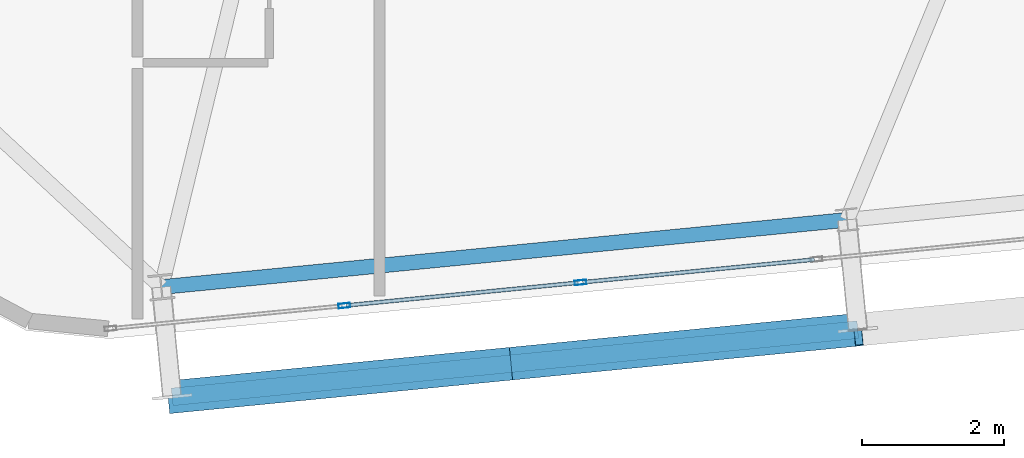
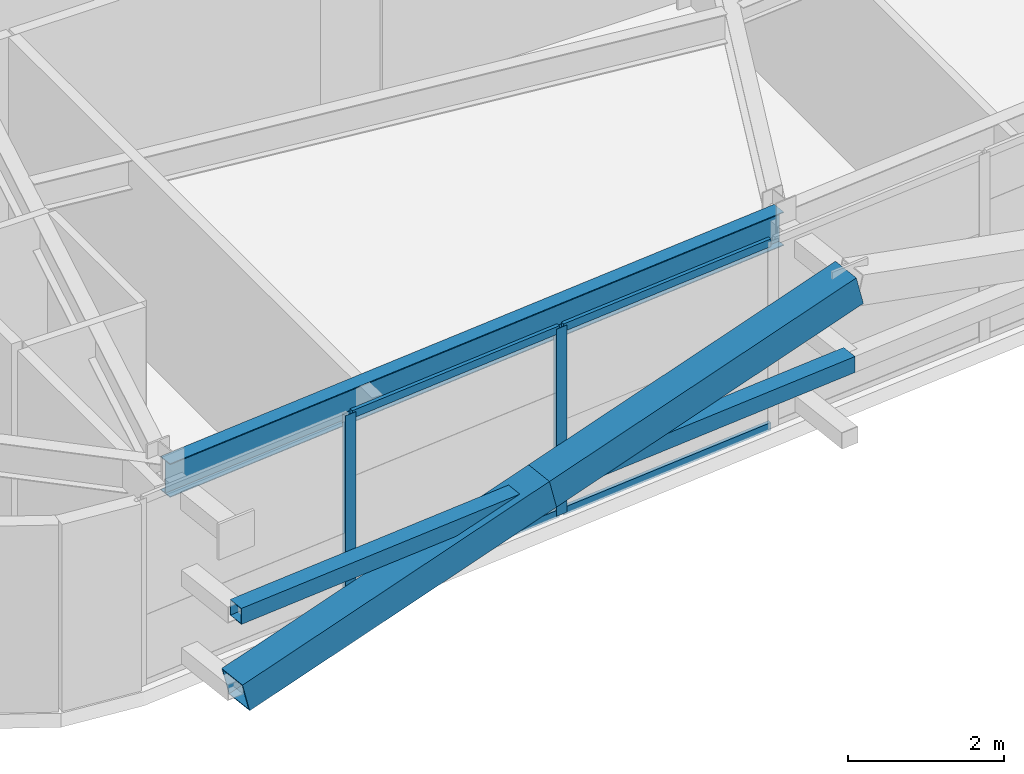
# One storey, part 6 of 52: 9 members, 1 beam, 1 element without a shape of its own.
"""IFC4 building model written with IfcOpenShell, lengths in metres."""

from ifc_helpers import new_model, si_unit, direction, frame, origin, origin_2d, place, context, subcontext, project, spatial, hollow_rectangle, i_section, extrude, source, transform, mapped, material, layer, layer_set, material_profile, profile_set, type_object, element, aggregate, save


model = new_model("IFC4")

# Units and contexts
model_context = context("Model", 3, precision=1e-05, world=origin(), true_north=direction((0.0, 1.0)))
body_context = subcontext(model_context, "Body", "Model", "MODEL_VIEW")
ifc_project = project(units=[si_unit("LENGTHUNIT", "METRE"), si_unit("AREAUNIT", "SQUARE_METRE"), si_unit("VOLUMEUNIT", "CUBIC_METRE"), si_unit("PLANEANGLEUNIT", "RADIAN"), si_unit("MASSUNIT", "GRAM", prefix="KILO")], contexts=[model_context])

# Site, building, storey
site_placement = place(None, origin())
site = spatial("IfcSite", under=ifc_project, at=site_placement, CompositionType="ELEMENT")
building_placement = place(site_placement, origin())
building = spatial("IfcBuilding", under=site, at=building_placement, Name="Taldren Reach Tower", CompositionType="ELEMENT")
storey_placement = place(building_placement, frame((0.0, 0.0, 74.550048828125)))
storey = spatial("IfcBuildingStorey", under=building, at=storey_placement, Name="L22", CompositionType="ELEMENT", Elevation=74.550048828125)

# Beam
ifc_material_1 = material(Name="Steel Gr 350 (350PLUS)", Category="steel")
ifc_material_profile_1 = material_profile(ifc_material_1, i_section(OverallWidth=0.208984375, OverallDepth=0.528076171875, WebThickness=0.009521484375, FlangeThickness=0.01318359375, at=origin_2d()), Name="530UB82.0")
ifc_profile_set_1 = profile_set([ifc_material_profile_1], Name="Steel Gr 350 (350PLUS)")
beam_type = type_object("IfcBeamType", Name="SP-UB530B", PredefinedType="SPANDREL", material=ifc_profile_set_1)
shared_shape_1 = source(origin(), body_context, "Body", "SweptSolid", [
    extrude(i_section(OverallWidth=0.208984375, OverallDepth=0.528076171875, WebThickness=0.009521484375, FlangeThickness=0.01318359375, at=origin_2d()), origin(), (0.0, 0.0, 1.0), 9.679931640625),
])
beam_placement = place(storey_placement, frame((14.93408203125, -0.079833984375, 2.666015625), z_axis=(0.995227612658, 0.097580730699, 0.0), x_axis=(-0.097580730699, 0.995227612658, 0.0)))
element("IfcBeam", 1, at=beam_placement, inside=storey, type_object=beam_type, Name="Perimeter spandrel B2 S1-S2 L22", PredefinedType="SPANDREL", context=body_context, shape_type="MappedRepresentation", body=[
    mapped(shared_shape_1, transform((0.0, 0.0, 0.0), scale=1.0)),
])

# Members
ifc_material_2 = material(Name="Steel Gr 450 (C450L0)", Category="steel")
ifc_material_profile_2 = material_profile(ifc_material_2, hollow_rectangle(XDim=0.4599609375, YDim=0.4599609375, WallThickness=0.01611328125, at=origin_2d()), Name="460x460x16.0SHS")
ifc_profile_set_2 = profile_set([ifc_material_profile_2], Name="Steel Gr 450 (C450L0)")
member_type_1 = type_object("IfcMemberType", Name="MB-EXO457", PredefinedType="BRACE", material=ifc_profile_set_2)
shared_shape_2 = source(origin(), body_context, "Body", "SweptSolid", [
    extrude(hollow_rectangle(XDim=0.4599609375, YDim=0.4599609375, WallThickness=0.01611328125, at=origin_2d()), origin(), (0.0, 0.0, 1.0), 4.990234375),
])
for number, where, z_axis, x_axis, name in (
    (2, (15.08544921875, -1.62255859375, 0.219970703125), (0.965271056716, 0.094667992638, 0.243494883389), (-0.097605711627, 0.995225162995, 0.0), "Exoskeleton Diagrid Brace B2-S1 L22"),
    (3, (19.90234375, -1.150146484375, 1.43505859375), (0.965287024526, 0.094620633828, 0.24344998652), (-0.097555749586, 0.995230061706, 0.0), "Exoskeleton Diagrid Brace B2-S1 L22"),
):
    element("IfcMember", number, at=place(storey_placement, frame(where, z_axis=z_axis, x_axis=x_axis)), inside=storey, type_object=member_type_1, Name=name, PredefinedType="BRACE", context=body_context, shape_type="MappedRepresentation", body=[
        mapped(shared_shape_2, transform((0.0, 0.0, 0.0), scale=1.0)),
    ])
ifc_material_3 = material(Name="Steel Gr 350 (C350L0)", Category="steel")
ifc_material_profile_3 = material_profile(ifc_material_3, hollow_rectangle(XDim=0.25, YDim=0.25, WallThickness=0.010009765625, at=origin_2d()), Name="250x250x10.0SHS")
ifc_profile_set_3 = profile_set([ifc_material_profile_3], Name="Steel Gr 350 (C350L0)")
member_type_2 = type_object("IfcMemberType", Name="MB-POST250", PredefinedType="POST", material=ifc_profile_set_3)
shared_shape_3 = source(origin(), body_context, "Body", "SweptSolid", [
    extrude(hollow_rectangle(XDim=0.25, YDim=0.25, WallThickness=0.010009765625, at=origin_2d()), origin(), (0.0, 0.0, 1.0), 9.679931640625),
])
member_1_placement = place(storey_placement, frame((15.08544921875, -1.62255859375, 1.43505859375), z_axis=(0.995227612658, 0.097580730699, 0.0), x_axis=(-0.097580730699, 0.995227612658, 0.0)))
element("IfcMember", 4, at=member_1_placement, inside=storey, type_object=member_type_2, Name="Exoskeleton mid-height ring chord B2-S1 L22", PredefinedType="POST", context=body_context, shape_type="MappedRepresentation", body=[
    mapped(shared_shape_3, transform((0.0, 0.0, 0.0), scale=1.0)),
])

# Curtain wall, members
ifc_material_4 = material(Name="Aluminium and Low-E Glass Unitised System", Category="aluminium")
ifc_layer = layer(ifc_material_4, 0.159912109375)
ifc_layer_set = layer_set([ifc_layer], Name="Aluminium and Low-E Glass Unitised System")
curtain_wall_type = type_object("IfcCurtainWallType", Name="CW-SYS-3", PredefinedType="NOTDEFINED", material=ifc_layer_set)
curtain_wall_placement = place(storey_placement, origin())
curtain_wall = element("IfcCurtainWall", 5, at=curtain_wall_placement, inside=storey, type_object=curtain_wall_type, Name="Unitised curtain wall CW-L22-S", PredefinedType="NOTDEFINED")
ifc_material_5 = material(Name="Anodised Aluminium 6063-T6", Category="aluminium")
ifc_material_profile_4 = material_profile(ifc_material_5, hollow_rectangle(XDim=0.06494140625, YDim=0.1650390625, WallThickness=0.00390625, at=origin_2d()), Name="ALU-165x65x4RHS")
ifc_profile_set_4 = profile_set([ifc_material_profile_4], Name="Anodised Aluminium 6063-T6")
member_type_3 = type_object("IfcMemberType", Name="CW-MUL-165", PredefinedType="MULLION", material=ifc_profile_set_4)
shared_shape_4 = source(origin(), body_context, "Body", "SweptSolid", [
    extrude(hollow_rectangle(XDim=0.06494140625, YDim=0.1650390625, WallThickness=0.00390625, at=origin_2d()), origin(), (0.0, 0.0, 1.0), 2.929931640625),
])
member_2_placement = place(storey_placement, frame((17.505126953125, -0.34033203125, 0.0), z_axis=(0.0, 0.0, 1.0), x_axis=(-0.097582999046, 0.995227390247, 0.0)))
member_2 = element("IfcMember", 6, at=member_2_placement, type_object=member_type_3, Name="CW-3 mullion 2", PredefinedType="MULLION", context=body_context, shape_type="MappedRepresentation", body=[
    mapped(shared_shape_4, transform((0.0, 0.0, 0.0), scale=1.0)),
])
member_3_placement = place(storey_placement, frame((20.822509765625, -0.014892578125, 0.0), z_axis=(0.0, 0.0, 1.0), x_axis=(-0.097582999046, 0.995227390247, 0.0)))
member_3 = element("IfcMember", 7, at=member_3_placement, type_object=member_type_3, Name="CW-3 mullion 3", PredefinedType="MULLION", context=body_context, shape_type="MappedRepresentation", body=[
    mapped(shared_shape_4, transform((0.0, 0.0, 0.0), scale=1.0)),
])
ifc_material_profile_5 = material_profile(ifc_material_5, hollow_rectangle(XDim=0.054931640625, YDim=0.1201171875, WallThickness=0.0029296875, at=origin_2d()), Name="ALU-120x55x3RHS")
ifc_profile_set_5 = profile_set([ifc_material_profile_5], Name="Anodised Aluminium 6063-T6")
member_type_4 = type_object("IfcMemberType", Name="CW-TRN-135", PredefinedType="USERDEFINED", material=ifc_profile_set_5)
shared_shape_5 = source(origin(), body_context, "Body", "SweptSolid", [
    extrude(hollow_rectangle(XDim=0.054931640625, YDim=0.1201171875, WallThickness=0.0029296875, at=origin_2d()), origin(), (0.0, 0.0, 1.0), 3.268310546875),
])
member_4_placement = place(storey_placement, frame((17.53759765625, -0.337158203125, 0.02734375), z_axis=(0.995222549564, 0.097632355496, 0.0), x_axis=(-0.097632355496, 0.995222549564, 0.0)))
member_4 = element("IfcMember", 8, at=member_4_placement, type_object=member_type_4, Name="CW-3 transom 2.1", ObjectType="TRANSOM", PredefinedType="USERDEFINED", context=body_context, shape_type="MappedRepresentation", body=[
    mapped(shared_shape_5, transform((0.0, 0.0, 0.0), scale=1.0)),
])
member_5_placement = place(storey_placement, frame((17.53759765625, -0.337158203125, 2.90234375), z_axis=(0.995222549564, 0.097632355496, 0.0), x_axis=(-0.097632355496, 0.995222549564, 0.0)))
member_5 = element("IfcMember", 9, at=member_5_placement, type_object=member_type_4, Name="CW-3 transom 2.2", ObjectType="TRANSOM", PredefinedType="USERDEFINED", context=body_context, shape_type="MappedRepresentation", body=[
    mapped(shared_shape_5, transform((0.0, 0.0, 0.0), scale=1.0)),
])
member_6_placement = place(storey_placement, frame((20.85498046875, -0.01171875, 0.02734375), z_axis=(0.99522980512, 0.097558367146, 0.0), x_axis=(-0.097558367146, 0.99522980512, 0.0)))
member_6 = element("IfcMember", 10, at=member_6_placement, type_object=member_type_4, Name="CW-3 transom 3.1", ObjectType="TRANSOM", PredefinedType="USERDEFINED", context=body_context, shape_type="MappedRepresentation", body=[
    mapped(shared_shape_5, transform((0.0, 0.0, 0.0), scale=1.0)),
])
member_7_placement = place(storey_placement, frame((20.85498046875, -0.01171875, 2.90234375), z_axis=(0.99522980512, 0.097558367146, 0.0), x_axis=(-0.097558367146, 0.99522980512, 0.0)))
member_7 = element("IfcMember", 11, at=member_7_placement, type_object=member_type_4, Name="CW-3 transom 3.2", ObjectType="TRANSOM", PredefinedType="USERDEFINED", context=body_context, shape_type="MappedRepresentation", body=[
    mapped(shared_shape_5, transform((0.0, 0.0, 0.0), scale=1.0)),
])
aggregate(curtain_wall, [member_2, member_3, member_4, member_5, member_6, member_7])

save(model, "model.ifc")
